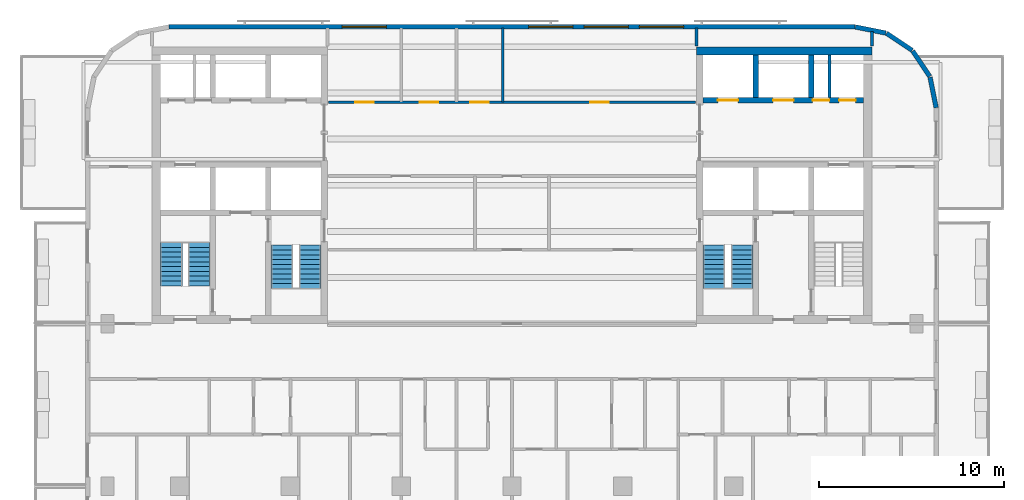
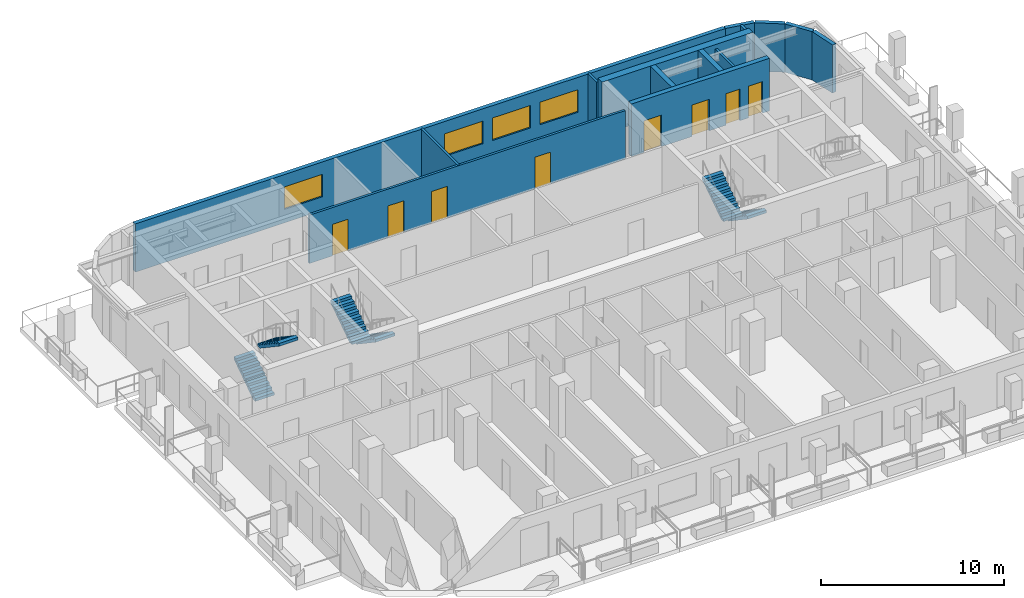
# One storey, part 7 of 11: 14 walls, 8 doors, 6 stair flights, 4 windows, 12 openings, 3 elements without a shape of their own.
"""IFC4 building model written with IfcOpenShell, lengths in metres."""

from ifc_helpers import new_model, si_unit, direction, frame, frame_2d, origin, place, context, subcontext, project, spatial, polyline, rectangle, outline, extrude, material, layer, layer_set, type_object, element, fill, aggregate, save


model = new_model("IFC4")

# Units and contexts
model_context = context("Model", 3, precision=1e-05, world=origin(), true_north=direction((0.0, 1.0)))
body_context = subcontext(model_context, "Body", "Model", "MODEL_VIEW")
ifc_project = project(units=[si_unit("LENGTHUNIT", "METRE"), si_unit("AREAUNIT", "SQUARE_METRE"), si_unit("VOLUMEUNIT", "CUBIC_METRE"), si_unit("PLANEANGLEUNIT", "RADIAN"), si_unit("MASSUNIT", "GRAM", prefix="KILO")], contexts=[model_context])

# Site, building, storey
site_placement = place(None, origin())
site = spatial("IfcSite", under=ifc_project, at=site_placement, CompositionType="ELEMENT")
building_placement = place(site_placement, origin())
building = spatial("IfcBuilding", under=site, at=building_placement, Name="Torana Hotel and Residences", CompositionType="ELEMENT")
storey_placement = place(building_placement, frame((0.0, 0.0, 298.10009765625)))
storey = spatial("IfcBuildingStorey", under=building, at=storey_placement, Name="L79", CompositionType="ELEMENT", Elevation=298.10009765625)

# Wall, openings, doors
ifc_material_1 = material(Name="Concrete C60/75", Category="concrete")
ifc_layer_1 = layer(ifc_material_1, 0.300048828125)
ifc_layer_set_1 = layer_set([ifc_layer_1], Name="CORE WALL 300 C60/75")
wall_type_1 = type_object("IfcWallType", Name="CORE WALL 300 C60/75", PredefinedType="SHEAR", material=ifc_layer_set_1)
wall_1_placement = place(storey_placement, frame((10.35009765625, -2.89990234375, 0.0), z_axis=(0.0, 0.0, 1.0), x_axis=(1.0, 0.0, 0.0)))
wall_1 = element("IfcWall", 1, at=wall_1_placement, inside=storey, type_object=wall_type_1, Name="Core wall E row-N", PredefinedType="SHEAR", context=body_context, shape_type="SweptSolid", body=[
    extrude(rectangle(XDim=8.699951171875, YDim=0.300048828125, at=frame_2d((4.35009765625, 0.0))), origin(), (0.0, 0.0, 1.0), 3.5),
])
opening_1_placement = place(wall_1_placement, frame((0.800048828125, 0.0, 0.0)))
opening_1 = element("IfcOpeningElement", 2, at=opening_1_placement, cuts=wall_1, Name="Opening LD", PredefinedType="OPENING", context=body_context, shape_type="SweptSolid", body=[
    extrude(rectangle(XDim=1.10009765625, YDim=2.10009765625, at=frame_2d((0.550048828125, 1.050048828125))), frame((0.0, 0.159912109375, 0.0), z_axis=(0.0, -1.0, 0.0), x_axis=(1.0, 0.0, 0.0)), (0.0, 0.0, 1.0), 0.320068359375),
])
opening_2_placement = place(wall_1_placement, frame((3.800048828125, 0.0, 0.0)))
opening_2 = element("IfcOpeningElement", 3, at=opening_2_placement, cuts=wall_1, Name="Opening LD", PredefinedType="OPENING", context=body_context, shape_type="SweptSolid", body=[
    extrude(rectangle(XDim=1.10009765625, YDim=2.10009765625, at=frame_2d((0.550048828125, 1.050048828125))), frame((0.0, 0.159912109375, 0.0), z_axis=(0.0, -1.0, 0.0), x_axis=(1.0, 0.0, 0.0)), (0.0, 0.0, 1.0), 0.320068359375),
])
opening_3_placement = place(wall_1_placement, frame((5.9375, 0.0, 0.0)))
opening_3 = element("IfcOpeningElement", 4, at=opening_3_placement, cuts=wall_1, Name="Opening L79-15", PredefinedType="OPENING", context=body_context, shape_type="SweptSolid", body=[
    extrude(rectangle(XDim=0.89990234375, YDim=2.10009765625, at=frame_2d((0.449951171875, 1.050048828125))), frame((0.0, 0.159912109375, 0.0), z_axis=(0.0, -1.0, 0.0), x_axis=(1.0, 0.0, 0.0)), (0.0, 0.0, 1.0), 0.320068359375),
])
opening_4_placement = place(wall_1_placement, frame((7.362548828125, 0.0, 0.0)))
opening_4 = element("IfcOpeningElement", 5, at=opening_4_placement, cuts=wall_1, Name="Opening L79-16", PredefinedType="OPENING", context=body_context, shape_type="SweptSolid", body=[
    extrude(rectangle(XDim=0.89990234375, YDim=2.10009765625, at=frame_2d((0.449951171875, 1.050048828125))), frame((0.0, 0.159912109375, 0.0), z_axis=(0.0, -1.0, 0.0), x_axis=(1.0, 0.0, 0.0)), (0.0, 0.0, 1.0), 0.320068359375),
])
ifc_material_2 = material(Name="Stainless steel 316", Category="steel")
door_type_1 = type_object("IfcDoorType", Name="LIFT LANDING DOOR LD 1100x2100", OperationType="DOUBLE_DOOR_SLIDING", PredefinedType="USERDEFINED", material=ifc_material_2)
door_1_placement = place(opening_1_placement, origin())
door_1 = element("IfcDoor", 6, at=door_1_placement, inside=storey, type_object=door_type_1, Name="Lift landing door H3 L79", ObjectType="LIFT LANDING DOOR", OperationType="DOUBLE_DOOR_SLIDING", OverallHeight=2.10009765625, OverallWidth=1.10009765625, PredefinedType="USERDEFINED", context=body_context, shape_type="SweptSolid", body=[
    extrude(rectangle(XDim=1.10009765625, YDim=2.10009765625, at=frame_2d((0.550048828125, 1.050048828125))), frame((0.0, 0.02490234375, 0.0), z_axis=(0.0, -1.0, 0.0), x_axis=(1.0, 0.0, 0.0)), (0.0, 0.0, 1.0), 0.050048828125),
])
fill(opening_1, door_1)
door_2_placement = place(opening_2_placement, origin())
door_2 = element("IfcDoor", 7, at=door_2_placement, inside=storey, type_object=door_type_1, Name="Lift landing door H4 L79", ObjectType="LIFT LANDING DOOR", OperationType="DOUBLE_DOOR_SLIDING", OverallHeight=2.10009765625, OverallWidth=1.10009765625, PredefinedType="USERDEFINED", context=body_context, shape_type="SweptSolid", body=[
    extrude(rectangle(XDim=1.10009765625, YDim=2.10009765625, at=frame_2d((0.550048828125, 1.050048828125))), frame((0.0, 0.02490234375, 0.0), z_axis=(0.0, -1.0, 0.0), x_axis=(1.0, 0.0, 0.0)), (0.0, 0.0, 1.0), 0.050048828125),
])
fill(opening_2, door_2)
ifc_material_3 = material(Name="Steel S235", Category="steel")
door_type_2 = type_object("IfcDoorType", Name="RISER ACCESS DOOR D5 900x2100", OperationType="SINGLE_SWING_LEFT", PredefinedType="DOOR", material=ifc_material_3)
door_3_placement = place(opening_3_placement, origin())
door_3 = element("IfcDoor", 8, at=door_3_placement, inside=storey, type_object=door_type_2, Name="N2A door L79", OperationType="SINGLE_SWING_RIGHT", OverallHeight=2.10009765625, OverallWidth=0.89990234375, PredefinedType="DOOR", context=body_context, shape_type="SweptSolid", body=[
    extrude(rectangle(XDim=0.89990234375, YDim=2.10009765625, at=frame_2d((0.449951171875, 1.050048828125))), frame((0.0, 0.02490234375, 0.0), z_axis=(0.0, -1.0, 0.0), x_axis=(1.0, 0.0, 0.0)), (0.0, 0.0, 1.0), 0.050048828125),
])
fill(opening_3, door_3)
door_4_placement = place(opening_4_placement, origin())
door_4 = element("IfcDoor", 9, at=door_4_placement, inside=storey, type_object=door_type_2, Name="N2B door L79", OperationType="SINGLE_SWING_RIGHT", OverallHeight=2.10009765625, OverallWidth=0.89990234375, PredefinedType="DOOR", context=body_context, shape_type="SweptSolid", body=[
    extrude(rectangle(XDim=0.89990234375, YDim=2.10009765625, at=frame_2d((0.449951171875, 1.050048828125))), frame((0.0, 0.02490234375, 0.0), z_axis=(0.0, -1.0, 0.0), x_axis=(1.0, 0.0, 0.0)), (0.0, 0.0, 1.0), 0.050048828125),
])
fill(opening_4, door_4)

# Walls
for number, where, z_axis, x_axis, name in (
    (10, (13.199951171875, -2.75, 0.0), (0.0, 0.0, 1.0), (0.0, 1.0, 0.0), "Core wall E x3.05-N"),
    (11, (16.199951171875, -2.75, 0.0), (0.0, 0.0, 1.0), (0.0, 1.0, 0.0), "Core wall E x6.05-N"),
):
    element("IfcWall", number, at=place(storey_placement, frame(where, z_axis=z_axis, x_axis=x_axis)), inside=storey, type_object=wall_type_1, Name=name, PredefinedType="SHEAR", context=body_context, shape_type="SweptSolid", body=[
        extrude(rectangle(XDim=2.300048828125, YDim=0.300048828125, at=frame_2d((1.14990234375, 0.0))), origin(), (0.0, 0.0, 1.0), 3.5),
    ])
ifc_material_4 = material(Name="Concrete C60/75", Category="concrete")
ifc_layer_2 = layer(ifc_material_4, 0.449951171875)
ifc_layer_set_2 = layer_set([ifc_layer_2], Name="CORE WALL 450 C60/75")
wall_type_2 = type_object("IfcWallType", Name="CORE WALL 450 C60/75", PredefinedType="SHEAR", material=ifc_layer_set_2)
wall_2_placement = place(storey_placement, frame((10.0, -0.22509765625, 0.0), z_axis=(0.0, 0.0, 1.0), x_axis=(1.0, 0.0, 0.0)))
element("IfcWall", 12, at=wall_2_placement, inside=storey, type_object=wall_type_2, Name="Core wall E rear", PredefinedType="SHEAR", context=body_context, shape_type="SweptSolid", body=[
    extrude(rectangle(XDim=9.5, YDim=0.449951171875, at=frame_2d((4.75, 0.0))), origin(), (0.0, 0.0, 1.0), 3.5),
])
ifc_material_5 = material(Name="Black aluminium composite panel", Category="aluminium")
ifc_layer_3 = layer(ifc_material_5, 0.00390625, Name="Cladding", Category="cladding")
ifc_material_6 = material(Name="Ventilated air cavity")
ifc_layer_4 = layer(ifc_material_6, 0.0400390625, Name="Ventilated cavity", Category="cavity")
ifc_material_7 = material(Name="Mineral wool insulation")
ifc_layer_5 = layer(ifc_material_7, 0.090087890625, Name="Insulation", Category="insulation")
ifc_material_8 = material(Name="Steel S280GD", Category="steel")
ifc_layer_6 = layer(ifc_material_8, 0.092041015625, Name="Steel stud frame", Category="structure")
ifc_material_9 = material(Name="Fire rated plasterboard")
ifc_layer_7 = layer(ifc_material_9, 0.011962890625, Name="Inner board", Category="finish")
ifc_layer_8 = layer(ifc_material_9, 0.011962890625, Name="Second board", Category="finish")
ifc_layer_set_3 = layer_set([ifc_layer_3, ifc_layer_4, ifc_layer_5, ifc_layer_6, ifc_layer_7, ifc_layer_8], Name="EW1 EXTERNAL WALL BLACK METAL CLAD 250")
wall_type_3 = type_object("IfcWallType", Name="EW1 EXTERNAL WALL BLACK METAL CLAD 250", PredefinedType="SOLIDWALL", material=ifc_layer_set_3)
wall_3_placement = place(storey_placement, frame((22.97265625, -3.30029296875, 0.0), z_axis=(0.0, 0.0, 1.0), x_axis=(-0.19513878023, 0.980775640221, 0.0)))
element("IfcWall", 13, at=wall_3_placement, inside=storey, type_object=wall_type_3, Name="External wall L79 e0.0", PredefinedType="SOLIDWALL", context=body_context, shape_type="SweptSolid", body=[
    extrude(rectangle(XDim=1.681396484375, YDim=0.25, at=frame_2d((0.8408203125, 0.0))), origin(), (0.0, 0.0, 1.0), 3.219970703125),
])
for number, where, z_axis, x_axis, name in (
    (14, (22.6259765625, -1.60595703125, 0.0), (0.0, 0.0, 1.0), (-0.55555029066, 0.831482937015, 0.0), "External wall L79 e0.1"),
    (15, (21.671142578125, -0.1943359375, 0.0), (0.0, 0.0, 1.0), (-0.831482937015, 0.55555029066, 0.0), "External wall L79 e0.2"),
):
    element("IfcWall", number, at=place(storey_placement, frame(where, z_axis=z_axis, x_axis=x_axis)), inside=storey, type_object=wall_type_3, Name=name, PredefinedType="SOLIDWALL", context=body_context, shape_type="SweptSolid", body=[
        extrude(rectangle(XDim=1.65625, YDim=0.25, at=frame_2d((0.828125, 0.0))), origin(), (0.0, 0.0, 1.0), 3.219970703125),
    ])
wall_4_placement = place(storey_placement, frame((20.248779296875, 0.74462890625, 0.0), z_axis=(0.0, 0.0, 1.0), x_axis=(-0.980797896849, 0.195026884138, 0.0)))
element("IfcWall", 16, at=wall_4_placement, inside=storey, type_object=wall_type_3, Name="External wall L79 e0.3", PredefinedType="SOLIDWALL", context=body_context, shape_type="SweptSolid", body=[
    extrude(rectangle(XDim=1.68115234375, YDim=0.25, at=frame_2d((0.840576171875, 0.0))), origin(), (0.0, 0.0, 1.0), 3.219970703125),
])

# Wall, openings, windows
ifc_material_10 = material(Name="Concrete C40/50 precast", Category="concrete")
ifc_layer_9 = layer(ifc_material_10, 0.10009765625, Name="Perforated block", Category="cladding")
ifc_material_11 = material(Name="Air cavity")
ifc_layer_10 = layer(ifc_material_11, 0.030029296875, Name="Cavity", Category="cavity")
ifc_material_12 = material(Name="Concrete C40/50", Category="concrete")
ifc_layer_11 = layer(ifc_material_12, 0.10009765625, Name="Wall", Category="structure")
ifc_material_13 = material(Name="Plaster and paint")
ifc_layer_12 = layer(ifc_material_13, 0.02001953125, Name="Inner finish", Category="finish")
ifc_layer_set_4 = layer_set([ifc_layer_9, ifc_layer_10, ifc_layer_11, ifc_layer_12], Name="EW2 PERFORATED BLOCK SCREEN WALL 250")
wall_type_4 = type_object("IfcWallType", Name="EW2 PERFORATED BLOCK SCREEN WALL 250", PredefinedType="SOLIDWALL", material=ifc_layer_set_4)
wall_5_placement = place(storey_placement, frame((18.575439453125, 1.074951171875, 0.0), z_axis=(0.0, 0.0, 1.0), x_axis=(-1.0, 0.0, 0.0)))
wall_5 = element("IfcWall", 17, at=wall_5_placement, inside=storey, type_object=wall_type_4, Name="External wall L79 e0.4", PredefinedType="SOLIDWALL", context=body_context, shape_type="SweptSolid", body=[
    extrude(rectangle(XDim=37.15087890625, YDim=0.25, at=frame_2d((18.575439453125, 0.0))), origin(), (0.0, 0.0, 1.0), 3.219970703125),
])
opening_5_placement = place(wall_5_placement, frame((9.275390625, 0.0, 0.89990234375)))
opening_5 = element("IfcOpeningElement", 18, at=opening_5_placement, cuts=wall_5, Name="Opening W3", PredefinedType="OPENING", context=body_context, shape_type="SweptSolid", body=[
    extrude(rectangle(XDim=2.39990234375, YDim=1.5, at=frame_2d((1.199951171875, 0.75))), frame((0.0, 0.135009765625, 0.0), z_axis=(0.0, -1.0, 0.0), x_axis=(1.0, 0.0, 0.0)), (0.0, 0.0, 1.0), 0.27001953125),
])
opening_6_placement = place(wall_5_placement, frame((12.275390625, 0.0, 0.89990234375)))
opening_6 = element("IfcOpeningElement", 19, at=opening_6_placement, cuts=wall_5, Name="Opening W3", PredefinedType="OPENING", context=body_context, shape_type="SweptSolid", body=[
    extrude(rectangle(XDim=2.39990234375, YDim=1.5, at=frame_2d((1.199951171875, 0.75))), frame((0.0, 0.135009765625, 0.0), z_axis=(0.0, -1.0, 0.0), x_axis=(1.0, 0.0, 0.0)), (0.0, 0.0, 1.0), 0.27001953125),
])
opening_7_placement = place(wall_5_placement, frame((15.275390625, 0.0, 0.89990234375)))
opening_7 = element("IfcOpeningElement", 20, at=opening_7_placement, cuts=wall_5, Name="Opening W3", PredefinedType="OPENING", context=body_context, shape_type="SweptSolid", body=[
    extrude(rectangle(XDim=2.39990234375, YDim=1.5, at=frame_2d((1.199951171875, 0.75))), frame((0.0, 0.135009765625, 0.0), z_axis=(0.0, -1.0, 0.0), x_axis=(1.0, 0.0, 0.0)), (0.0, 0.0, 1.0), 0.27001953125),
])
opening_8_placement = place(wall_5_placement, frame((25.37548828125, 0.0, 0.89990234375)))
opening_8 = element("IfcOpeningElement", 21, at=opening_8_placement, cuts=wall_5, Name="Opening W3", PredefinedType="OPENING", context=body_context, shape_type="SweptSolid", body=[
    extrude(rectangle(XDim=2.39990234375, YDim=1.5, at=frame_2d((1.199951171875, 0.75))), frame((0.0, 0.135009765625, 0.0), z_axis=(0.0, -1.0, 0.0), x_axis=(1.0, 0.0, 0.0)), (0.0, 0.0, 1.0), 0.27001953125),
])
ifc_material_14 = material(Name="Dark glass in black aluminium frame", Category="aluminium")
window_type = type_object("IfcWindowType", Name="W3 RESIDENCE WINDOW 2400x1500", PartitioningType="SINGLE_PANEL", PredefinedType="WINDOW", material=ifc_material_14)
window_1_placement = place(opening_5_placement, origin())
window_1 = element("IfcWindow", 22, at=window_1_placement, inside=storey, type_object=window_type, Name="Window L79", OverallHeight=1.5, OverallWidth=2.39990234375, PartitioningType="SINGLE_PANEL", PredefinedType="WINDOW", context=body_context, shape_type="SweptSolid", body=[
    extrude(rectangle(XDim=2.39990234375, YDim=1.5, at=frame_2d((1.199951171875, 0.75))), frame((0.0, 0.030029296875, 0.0), z_axis=(0.0, -1.0, 0.0), x_axis=(1.0, 0.0, 0.0)), (0.0, 0.0, 1.0), 0.06005859375),
])
fill(opening_5, window_1)
window_2_placement = place(opening_6_placement, origin())
window_2 = element("IfcWindow", 23, at=window_2_placement, inside=storey, type_object=window_type, Name="Window L79", OverallHeight=1.5, OverallWidth=2.39990234375, PartitioningType="SINGLE_PANEL", PredefinedType="WINDOW", context=body_context, shape_type="SweptSolid", body=[
    extrude(rectangle(XDim=2.39990234375, YDim=1.5, at=frame_2d((1.199951171875, 0.75))), frame((0.0, 0.030029296875, 0.0), z_axis=(0.0, -1.0, 0.0), x_axis=(1.0, 0.0, 0.0)), (0.0, 0.0, 1.0), 0.06005859375),
])
fill(opening_6, window_2)
window_3_placement = place(opening_7_placement, origin())
window_3 = element("IfcWindow", 24, at=window_3_placement, inside=storey, type_object=window_type, Name="Window L79", OverallHeight=1.5, OverallWidth=2.39990234375, PartitioningType="SINGLE_PANEL", PredefinedType="WINDOW", context=body_context, shape_type="SweptSolid", body=[
    extrude(rectangle(XDim=2.39990234375, YDim=1.5, at=frame_2d((1.199951171875, 0.75))), frame((0.0, 0.030029296875, 0.0), z_axis=(0.0, -1.0, 0.0), x_axis=(1.0, 0.0, 0.0)), (0.0, 0.0, 1.0), 0.06005859375),
])
fill(opening_7, window_3)
window_4_placement = place(opening_8_placement, origin())
window_4 = element("IfcWindow", 25, at=window_4_placement, inside=storey, type_object=window_type, Name="Window L79", OverallHeight=1.5, OverallWidth=2.39990234375, PartitioningType="SINGLE_PANEL", PredefinedType="WINDOW", context=body_context, shape_type="SweptSolid", body=[
    extrude(rectangle(XDim=2.39990234375, YDim=1.5, at=frame_2d((1.199951171875, 0.75))), frame((0.0, 0.030029296875, 0.0), z_axis=(0.0, -1.0, 0.0), x_axis=(1.0, 0.0, 0.0)), (0.0, 0.0, 1.0), 0.06005859375),
])
fill(opening_8, window_4)

# Wall
ifc_material_15 = material(Name="Gypsum plaster")
ifc_layer_13 = layer(ifc_material_15, 0.014892578125, Name="Plaster", Category="finish")
ifc_material_16 = material(Name="Concrete blockwork", Category="masonry")
ifc_layer_14 = layer(ifc_material_16, 0.1201171875, Name="Blockwork", Category="structure")
ifc_layer_15 = layer(ifc_material_15, 0.014892578125, Name="Plaster", Category="finish")
ifc_layer_set_5 = layer_set([ifc_layer_13, ifc_layer_14, ifc_layer_15], Name="FIRE PARTITION 150 BLOCKWORK")
wall_type_5 = type_object("IfcWallType", Name="FIRE PARTITION 150 BLOCKWORK", PredefinedType="PARTITIONING", material=ifc_layer_set_5)
wall_6_placement = place(storey_placement, frame((17.199951171875, -2.75, 0.0), z_axis=(0.0, 0.0, 1.0), x_axis=(0.0, 1.0, 0.0)))
element("IfcWall", 26, at=wall_6_placement, inside=storey, type_object=wall_type_5, Name="Core partition L79", PredefinedType="PARTITIONING", context=body_context, shape_type="SweptSolid", body=[
    extrude(rectangle(XDim=2.300048828125, YDim=0.14990234375, at=frame_2d((1.14990234375, 0.0))), origin(), (0.0, 0.0, 1.0), 3.199951171875),
])

# Wall, openings, doors
wall_7_placement = place(storey_placement, frame((-9.949951171875, -3.0, 0.0), z_axis=(0.0, 0.0, 1.0), x_axis=(1.0, 0.0, 0.0)))
wall_7 = element("IfcWall", 27, at=wall_7_placement, inside=storey, type_object=wall_type_5, Name="Partition L79", PredefinedType="PARTITIONING", context=body_context, shape_type="SweptSolid", body=[
    extrude(rectangle(XDim=19.89990234375, YDim=0.14990234375, at=frame_2d((9.949951171875, 0.0))), origin(), (0.0, 0.0, 1.0), 3.219970703125),
])
opening_9_placement = place(wall_7_placement, frame((1.449951171875, 0.0, 0.0)))
opening_9 = element("IfcOpeningElement", 28, at=opening_9_placement, cuts=wall_7, Name="Opening L79-34", PredefinedType="OPENING", context=body_context, shape_type="SweptSolid", body=[
    extrude(rectangle(XDim=1.0, YDim=2.10009765625, at=frame_2d((0.5, 1.050048828125))), frame((0.0, 0.0849609375, 0.0), z_axis=(0.0, -1.0, 0.0), x_axis=(1.0, 0.0, 0.0)), (0.0, 0.0, 1.0), 0.169921875),
])
opening_10_placement = place(wall_7_placement, frame((4.949951171875, 0.0, 0.0)))
opening_10 = element("IfcOpeningElement", 29, at=opening_10_placement, cuts=wall_7, Name="Opening L79-35", PredefinedType="OPENING", context=body_context, shape_type="SweptSolid", body=[
    extrude(rectangle(XDim=1.0, YDim=2.10009765625, at=frame_2d((0.5, 1.050048828125))), frame((0.0, 0.0849609375, 0.0), z_axis=(0.0, -1.0, 0.0), x_axis=(1.0, 0.0, 0.0)), (0.0, 0.0, 1.0), 0.169921875),
])
opening_11_placement = place(wall_7_placement, frame((7.699951171875, 0.0, 0.0)))
opening_11 = element("IfcOpeningElement", 30, at=opening_11_placement, cuts=wall_7, Name="Opening L79-36", PredefinedType="OPENING", context=body_context, shape_type="SweptSolid", body=[
    extrude(rectangle(XDim=1.0, YDim=2.10009765625, at=frame_2d((0.5, 1.050048828125))), frame((0.0, 0.0849609375, 0.0), z_axis=(0.0, -1.0, 0.0), x_axis=(1.0, 0.0, 0.0)), (0.0, 0.0, 1.0), 0.169921875),
])
opening_12_placement = place(wall_7_placement, frame((14.199951171875, 0.0, 0.0)))
opening_12 = element("IfcOpeningElement", 31, at=opening_12_placement, cuts=wall_7, Name="Opening L79-37", PredefinedType="OPENING", context=body_context, shape_type="SweptSolid", body=[
    extrude(rectangle(XDim=1.0, YDim=2.10009765625, at=frame_2d((0.5, 1.050048828125))), frame((0.0, 0.0849609375, 0.0), z_axis=(0.0, -1.0, 0.0), x_axis=(1.0, 0.0, 0.0)), (0.0, 0.0, 1.0), 0.169921875),
])
ifc_material_17 = material(Name="Steel S235", Category="steel")
door_type_3 = type_object("IfcDoorType", Name="ENTRY FIRE DOOR D6 1000x2100", OperationType="SINGLE_SWING_LEFT", PredefinedType="DOOR", material=ifc_material_17)
door_5_placement = place(opening_9_placement, origin())
door_5 = element("IfcDoor", 32, at=door_5_placement, inside=storey, type_object=door_type_3, Name="Door L79", OperationType="SINGLE_SWING_RIGHT", OverallHeight=2.10009765625, OverallWidth=1.0, PredefinedType="DOOR", context=body_context, shape_type="SweptSolid", body=[
    extrude(rectangle(XDim=1.0, YDim=2.10009765625, at=frame_2d((0.5, 1.050048828125))), frame((0.0, 0.02490234375, 0.0), z_axis=(0.0, -1.0, 0.0), x_axis=(1.0, 0.0, 0.0)), (0.0, 0.0, 1.0), 0.050048828125),
])
fill(opening_9, door_5)
door_6_placement = place(opening_10_placement, origin())
door_6 = element("IfcDoor", 33, at=door_6_placement, inside=storey, type_object=door_type_3, Name="Door L79", OperationType="SINGLE_SWING_RIGHT", OverallHeight=2.10009765625, OverallWidth=1.0, PredefinedType="DOOR", context=body_context, shape_type="SweptSolid", body=[
    extrude(rectangle(XDim=1.0, YDim=2.10009765625, at=frame_2d((0.5, 1.050048828125))), frame((0.0, 0.02490234375, 0.0), z_axis=(0.0, -1.0, 0.0), x_axis=(1.0, 0.0, 0.0)), (0.0, 0.0, 1.0), 0.050048828125),
])
fill(opening_10, door_6)
door_7_placement = place(opening_11_placement, origin())
door_7 = element("IfcDoor", 34, at=door_7_placement, inside=storey, type_object=door_type_3, Name="Door L79", OperationType="SINGLE_SWING_RIGHT", OverallHeight=2.10009765625, OverallWidth=1.0, PredefinedType="DOOR", context=body_context, shape_type="SweptSolid", body=[
    extrude(rectangle(XDim=1.0, YDim=2.10009765625, at=frame_2d((0.5, 1.050048828125))), frame((0.0, 0.02490234375, 0.0), z_axis=(0.0, -1.0, 0.0), x_axis=(1.0, 0.0, 0.0)), (0.0, 0.0, 1.0), 0.050048828125),
])
fill(opening_11, door_7)
door_8_placement = place(opening_12_placement, origin())
door_8 = element("IfcDoor", 35, at=door_8_placement, inside=storey, type_object=door_type_3, Name="Door L79", OperationType="SINGLE_SWING_RIGHT", OverallHeight=2.10009765625, OverallWidth=1.0, PredefinedType="DOOR", context=body_context, shape_type="SweptSolid", body=[
    extrude(rectangle(XDim=1.0, YDim=2.10009765625, at=frame_2d((0.5, 1.050048828125))), frame((0.0, 0.02490234375, 0.0), z_axis=(0.0, -1.0, 0.0), x_axis=(1.0, 0.0, 0.0)), (0.0, 0.0, 1.0), 0.050048828125),
])
fill(opening_12, door_8)

# Walls
ifc_material_18 = material(Name="Gypsum plasterboard")
ifc_layer_16 = layer(ifc_material_18, 0.012451171875, Name="Plasterboard", Category="finish")
ifc_layer_17 = layer(ifc_material_18, 0.012451171875, Name="Plasterboard", Category="finish")
ifc_layer_18 = layer(ifc_material_8, 0.10009765625, Name="Steel studs with mineral wool", Category="insulation")
ifc_layer_19 = layer(ifc_material_18, 0.012451171875, Name="Plasterboard", Category="finish")
ifc_layer_20 = layer(ifc_material_18, 0.012451171875, Name="Plasterboard", Category="finish")
ifc_layer_set_6 = layer_set([ifc_layer_16, ifc_layer_17, ifc_layer_18, ifc_layer_19, ifc_layer_20], Name="PARTITION 150 PLASTERBOARD")
wall_type_6 = type_object("IfcWallType", Name="PARTITION 150 PLASTERBOARD", PredefinedType="PARTITIONING", material=ifc_layer_set_6)
wall_8_placement = place(storey_placement, frame((19.5, 0.050048828125, 0.0), z_axis=(0.0, 0.0, 1.0), x_axis=(0.0, 1.0, 0.0)))
element("IfcWall", 36, at=wall_8_placement, inside=storey, type_object=wall_type_6, Name="Partition L79", PredefinedType="PARTITIONING", context=body_context, shape_type="SweptSolid", body=[
    extrude(rectangle(XDim=0.787353515625, YDim=0.14990234375, at=frame_2d((0.3935546875, 0.0))), origin(), (0.0, 0.0, 1.0), 3.219970703125),
])
wall_9_placement = place(storey_placement, frame((10.0, 0.050048828125, 0.0), z_axis=(0.0, 0.0, 1.0), x_axis=(0.0, 1.0, 0.0)))
element("IfcWall", 37, at=wall_9_placement, inside=storey, type_object=wall_type_6, Name="Partition L79", PredefinedType="PARTITIONING", context=body_context, shape_type="SweptSolid", body=[
    extrude(rectangle(XDim=0.969970703125, YDim=0.14990234375, at=frame_2d((0.48486328125, 0.0))), origin(), (0.0, 0.0, 1.0), 3.219970703125),
])
ifc_material_19 = material(Name="Ceramic tile on adhesive")
ifc_layer_21 = layer(ifc_material_19, 0.010009765625, Name="Wall tile", Category="finish")
ifc_material_20 = material(Name="Cement render")
ifc_layer_22 = layer(ifc_material_20, 0.010009765625, Name="Render", Category="finish")
ifc_layer_23 = layer(ifc_material_16, 0.110107421875, Name="Blockwork", Category="structure")
ifc_layer_24 = layer(ifc_material_20, 0.010009765625, Name="Render", Category="finish")
ifc_layer_25 = layer(ifc_material_19, 0.010009765625, Name="Wall tile", Category="finish")
ifc_layer_set_7 = layer_set([ifc_layer_21, ifc_layer_22, ifc_layer_23, ifc_layer_24, ifc_layer_25], Name="WC PARTITION 150")
wall_type_7 = type_object("IfcWallType", Name="WC PARTITION 150", PredefinedType="PLUMBINGWALL", material=ifc_layer_set_7)
wall_10_placement = place(storey_placement, frame((-0.5, -3.0, 0.0), z_axis=(0.0, 0.0, 1.0), x_axis=(0.0, 1.0, 0.0)))
element("IfcWall", 38, at=wall_10_placement, inside=storey, type_object=wall_type_7, Name="Partition L79", PredefinedType="PLUMBINGWALL", context=body_context, shape_type="SweptSolid", body=[
    extrude(rectangle(XDim=4.02001953125, YDim=0.14990234375, at=frame_2d((2.010009765625, 0.0))), origin(), (0.0, 0.0, 1.0), 3.219970703125),
])

# Stair, stair flights
ifc_material_21 = material(Name="Concrete C40/50 precast", Category="concrete")
stair_type_1 = type_object("IfcStairType", Name="STAIR ST1 HALF TURN 1200", PredefinedType="HALF_TURN_STAIR", material=ifc_material_21)
stair_1_placement = place(storey_placement, origin())
stair_1 = element("IfcStair", 39, at=stair_1_placement, inside=storey, type_object=stair_type_1, Name="Stair ST1 L79", PredefinedType="HALF_TURN_STAIR")
ifc_material_22 = material(Name="Concrete C40/50 precast", Category="concrete")
stair_flight_type = type_object("IfcStairFlightType", Name="STAIR FLIGHT 1200 PRECAST", PredefinedType="STRAIGHT", material=ifc_material_22)
stair_flight_1_placement = place(storey_placement, frame((-10.949951171875, -10.75, 0.0), z_axis=(0.0, 0.0, 1.0), x_axis=(0.0, -1.0, 0.0)))
stair_flight_1 = element("IfcStairFlight", 40, at=stair_flight_1_placement, type_object=stair_flight_type, Name="ST1 flight 1", NumberOfRisers=10, NumberOfTreads=9, PredefinedType="STRAIGHT", RiserHeight=0.175, TreadLength=0.26, context=body_context, shape_type="SweptSolid", body=[
    extrude(outline(polyline([(0.0, 0.0), (0.0, 0.175048828125), (0.260009765625, 0.175048828125), (0.260009765625, 0.35009765625), (0.52001953125, 0.35009765625), (0.52001953125, 0.52490234375), (0.780029296875, 0.52490234375), (0.780029296875, 0.699951171875), (1.0400390625, 0.699951171875), (1.0400390625, 0.875), (1.300048828125, 0.875), (1.300048828125, 1.050048828125), (1.56005859375, 1.050048828125), (1.56005859375, 1.22509765625), (1.820068359375, 1.22509765625), (1.820068359375, 1.39990234375), (2.080078125, 1.39990234375), (2.080078125, 1.574951171875), (2.340087890625, 1.574951171875), (2.340087890625, 1.75), (2.340087890625, 1.394287109375), (0.2685546875, 0.0), (0.0, 0.0)])), frame((0.0, 0.60009765625, 0.0), z_axis=(0.0, -1.0, 0.0), x_axis=(1.0, 0.0, 0.0)), (0.0, 0.0, 1.0), 1.199951171875),
])
stair_flight_2_placement = place(storey_placement, frame((-12.449951171875, -13.090087890625, 1.75), z_axis=(0.0, 0.0, 1.0), x_axis=(0.0, 1.0, 0.0)))
stair_flight_2 = element("IfcStairFlight", 41, at=stair_flight_2_placement, type_object=stair_flight_type, Name="ST1 flight 2", NumberOfRisers=10, NumberOfTreads=9, PredefinedType="STRAIGHT", RiserHeight=0.175, TreadLength=0.26, context=body_context, shape_type="SweptSolid", body=[
    extrude(outline(polyline([(0.0, 0.0), (0.0, 0.175048828125), (0.260009765625, 0.175048828125), (0.260009765625, 0.35009765625), (0.52001953125, 0.35009765625), (0.52001953125, 0.52490234375), (0.780029296875, 0.52490234375), (0.780029296875, 0.699951171875), (1.0400390625, 0.699951171875), (1.0400390625, 0.875), (1.300048828125, 0.875), (1.300048828125, 1.050048828125), (1.56005859375, 1.050048828125), (1.56005859375, 1.22509765625), (1.820068359375, 1.22509765625), (1.820068359375, 1.39990234375), (2.080078125, 1.39990234375), (2.080078125, 1.574951171875), (2.340087890625, 1.574951171875), (2.340087890625, 1.75), (2.340087890625, 1.394287109375), (0.2685546875, 0.0), (0.0, 0.0)])), frame((0.0, 0.60009765625, 0.0), z_axis=(0.0, -1.0, 0.0), x_axis=(1.0, 0.0, 0.0)), (0.0, 0.0, 1.0), 1.199951171875),
])
aggregate(stair_1, [stair_flight_1, stair_flight_2])

ifc_material_23 = material(Name="Concrete C40/50 precast", Category="concrete")
stair_type_2 = type_object("IfcStairType", Name="STAIR ST2 HALF TURN 1200", PredefinedType="HALF_TURN_STAIR", material=ifc_material_23)
stair_2_placement = place(storey_placement, origin())
stair_2 = element("IfcStair", 42, at=stair_2_placement, inside=storey, type_object=stair_type_2, Name="Stair ST2 L79", PredefinedType="HALF_TURN_STAIR")
stair_flight_3_placement = place(storey_placement, frame((-18.449951171875, -12.949951171875, 0.0), z_axis=(0.0, 0.0, 1.0), x_axis=(0.0, 1.0, 0.0)))
stair_flight_3 = element("IfcStairFlight", 43, at=stair_flight_3_placement, type_object=stair_flight_type, Name="ST2 flight 1", NumberOfRisers=10, NumberOfTreads=9, PredefinedType="STRAIGHT", RiserHeight=0.175, TreadLength=0.26, context=body_context, shape_type="SweptSolid", body=[
    extrude(outline(polyline([(0.0, 0.0), (0.0, 0.175048828125), (0.260009765625, 0.175048828125), (0.260009765625, 0.35009765625), (0.52001953125, 0.35009765625), (0.52001953125, 0.52490234375), (0.780029296875, 0.52490234375), (0.780029296875, 0.699951171875), (1.0400390625, 0.699951171875), (1.0400390625, 0.875), (1.300048828125, 0.875), (1.300048828125, 1.050048828125), (1.56005859375, 1.050048828125), (1.56005859375, 1.22509765625), (1.820068359375, 1.22509765625), (1.820068359375, 1.39990234375), (2.080078125, 1.39990234375), (2.080078125, 1.574951171875), (2.340087890625, 1.574951171875), (2.340087890625, 1.75), (2.340087890625, 1.394287109375), (0.2685546875, 0.0), (0.0, 0.0)])), frame((0.0, 0.60009765625, 0.0), z_axis=(0.0, -1.0, 0.0), x_axis=(1.0, 0.0, 0.0)), (0.0, 0.0, 1.0), 1.199951171875),
])
stair_flight_4_placement = place(storey_placement, frame((-16.949951171875, -10.610107421875, 1.75), z_axis=(0.0, 0.0, 1.0), x_axis=(0.0, -1.0, 0.0)))
stair_flight_4 = element("IfcStairFlight", 44, at=stair_flight_4_placement, type_object=stair_flight_type, Name="ST2 flight 2", NumberOfRisers=10, NumberOfTreads=9, PredefinedType="STRAIGHT", RiserHeight=0.175, TreadLength=0.26, context=body_context, shape_type="SweptSolid", body=[
    extrude(outline(polyline([(0.0, 0.0), (0.0, 0.175048828125), (0.260009765625, 0.175048828125), (0.260009765625, 0.35009765625), (0.52001953125, 0.35009765625), (0.52001953125, 0.52490234375), (0.780029296875, 0.52490234375), (0.780029296875, 0.699951171875), (1.0400390625, 0.699951171875), (1.0400390625, 0.875), (1.300048828125, 0.875), (1.300048828125, 1.050048828125), (1.56005859375, 1.050048828125), (1.56005859375, 1.22509765625), (1.820068359375, 1.22509765625), (1.820068359375, 1.39990234375), (2.080078125, 1.39990234375), (2.080078125, 1.574951171875), (2.340087890625, 1.574951171875), (2.340087890625, 1.75), (2.340087890625, 1.394287109375), (0.2685546875, 0.0), (0.0, 0.0)])), frame((0.0, 0.60009765625, 0.0), z_axis=(0.0, -1.0, 0.0), x_axis=(1.0, 0.0, 0.0)), (0.0, 0.0, 1.0), 1.199951171875),
])
aggregate(stair_2, [stair_flight_3, stair_flight_4])

ifc_material_24 = material(Name="Concrete C40/50 precast", Category="concrete")
stair_type_3 = type_object("IfcStairType", Name="STAIR ST3 HALF TURN 1200", PredefinedType="HALF_TURN_STAIR", material=ifc_material_24)
stair_3_placement = place(storey_placement, origin())
stair_3 = element("IfcStair", 45, at=stair_3_placement, inside=storey, type_object=stair_type_3, Name="Stair ST3 L79", PredefinedType="HALF_TURN_STAIR")
stair_flight_5_placement = place(storey_placement, frame((12.449951171875, -10.75, 0.0), z_axis=(0.0, 0.0, 1.0), x_axis=(0.0, -1.0, 0.0)))
stair_flight_5 = element("IfcStairFlight", 46, at=stair_flight_5_placement, type_object=stair_flight_type, Name="ST3 flight 1", NumberOfRisers=10, NumberOfTreads=9, PredefinedType="STRAIGHT", RiserHeight=0.175, TreadLength=0.26, context=body_context, shape_type="SweptSolid", body=[
    extrude(outline(polyline([(0.0, 0.0), (0.0, 0.175048828125), (0.260009765625, 0.175048828125), (0.260009765625, 0.35009765625), (0.52001953125, 0.35009765625), (0.52001953125, 0.52490234375), (0.780029296875, 0.52490234375), (0.780029296875, 0.699951171875), (1.0400390625, 0.699951171875), (1.0400390625, 0.875), (1.300048828125, 0.875), (1.300048828125, 1.050048828125), (1.56005859375, 1.050048828125), (1.56005859375, 1.22509765625), (1.820068359375, 1.22509765625), (1.820068359375, 1.39990234375), (2.080078125, 1.39990234375), (2.080078125, 1.574951171875), (2.340087890625, 1.574951171875), (2.340087890625, 1.75), (2.340087890625, 1.394287109375), (0.2685546875, 0.0), (0.0, 0.0)])), frame((0.0, 0.60009765625, 0.0), z_axis=(0.0, -1.0, 0.0), x_axis=(1.0, 0.0, 0.0)), (0.0, 0.0, 1.0), 1.199951171875),
])
stair_flight_6_placement = place(storey_placement, frame((10.949951171875, -13.090087890625, 1.75), z_axis=(0.0, 0.0, 1.0), x_axis=(0.0, 1.0, 0.0)))
stair_flight_6 = element("IfcStairFlight", 47, at=stair_flight_6_placement, type_object=stair_flight_type, Name="ST3 flight 2", NumberOfRisers=10, NumberOfTreads=9, PredefinedType="STRAIGHT", RiserHeight=0.175, TreadLength=0.26, context=body_context, shape_type="SweptSolid", body=[
    extrude(outline(polyline([(0.0, 0.0), (0.0, 0.175048828125), (0.260009765625, 0.175048828125), (0.260009765625, 0.35009765625), (0.52001953125, 0.35009765625), (0.52001953125, 0.52490234375), (0.780029296875, 0.52490234375), (0.780029296875, 0.699951171875), (1.0400390625, 0.699951171875), (1.0400390625, 0.875), (1.300048828125, 0.875), (1.300048828125, 1.050048828125), (1.56005859375, 1.050048828125), (1.56005859375, 1.22509765625), (1.820068359375, 1.22509765625), (1.820068359375, 1.39990234375), (2.080078125, 1.39990234375), (2.080078125, 1.574951171875), (2.340087890625, 1.574951171875), (2.340087890625, 1.75), (2.340087890625, 1.394287109375), (0.2685546875, 0.0), (0.0, 0.0)])), frame((0.0, 0.60009765625, 0.0), z_axis=(0.0, -1.0, 0.0), x_axis=(1.0, 0.0, 0.0)), (0.0, 0.0, 1.0), 1.199951171875),
])
aggregate(stair_3, [stair_flight_5, stair_flight_6])

save(model, "model.ifc")
